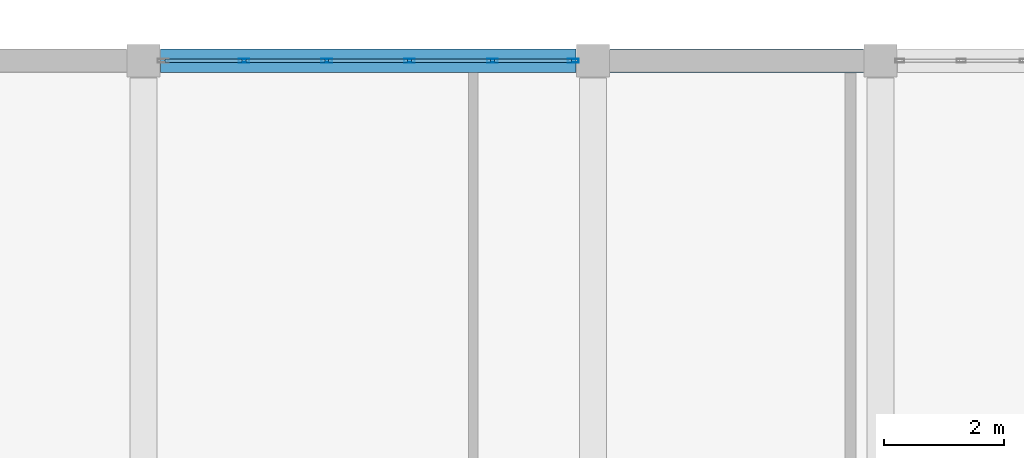
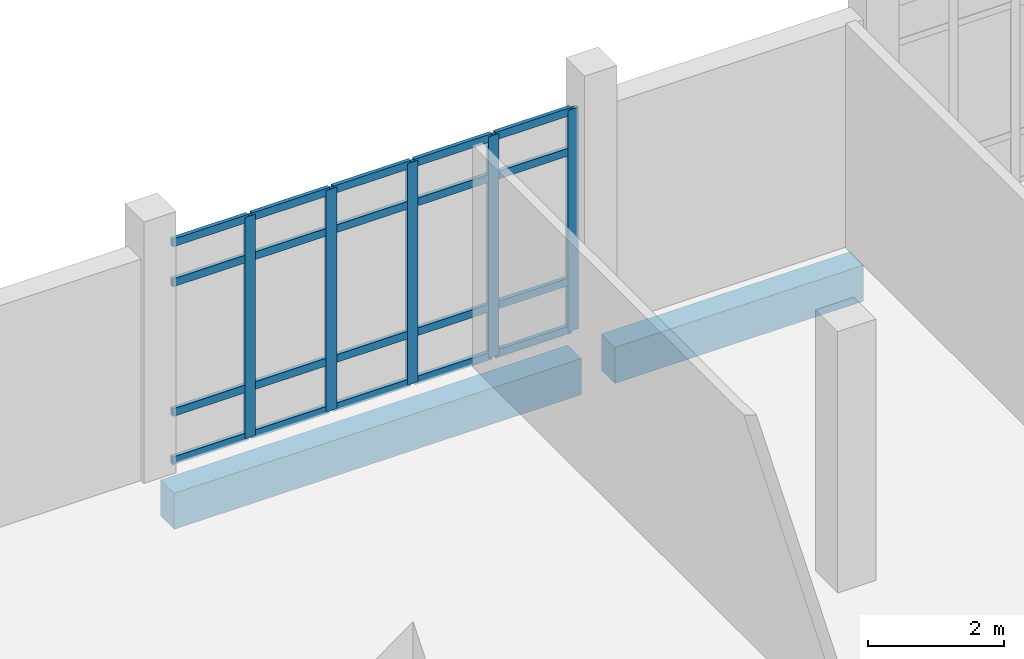
# One storey, part 73 of 173: 25 members, 2 beams, 1 element without a shape of its own.
"""IFC4 building model written with IfcOpenShell, lengths in metres."""

from ifc_helpers import new_model, si_unit, direction, frame, origin, origin_2d, place, context, subcontext, project, spatial, rectangle, hollow_rectangle, extrude, material, layer, layer_set, material_profile, profile_set, type_object, element, aggregate, save


model = new_model("IFC4")

# Units and contexts
model_context = context("Model", 3, precision=1e-05, world=origin(), true_north=direction((0.0, 1.0)))
body_context = subcontext(model_context, "Body", "Model", "MODEL_VIEW")
ifc_project = project(units=[si_unit("LENGTHUNIT", "METRE"), si_unit("AREAUNIT", "SQUARE_METRE"), si_unit("VOLUMEUNIT", "CUBIC_METRE"), si_unit("PLANEANGLEUNIT", "RADIAN"), si_unit("MASSUNIT", "GRAM", prefix="KILO")], contexts=[model_context])

# Site, building, storey
site_placement = place(None, origin())
site = spatial("IfcSite", under=ifc_project, at=site_placement, CompositionType="ELEMENT")
building_placement = place(site_placement, origin())
building = spatial("IfcBuilding", under=site, at=building_placement, Name="Mawjan Specialist Oncology Clinic", CompositionType="ELEMENT")
storey_placement = place(building_placement, origin())
storey = spatial("IfcBuildingStorey", under=building, at=storey_placement, Name="L00", CompositionType="ELEMENT", Elevation=0.0)

# Curtain wall, members
ifc_material_1 = material(Name="Unitised spectrally selective aluminium curtain wall", Category="aluminium")
ifc_layer = layer(ifc_material_1, 0.179931640625, Name="Unitised spectrally selective aluminium curtain wall", Category="aluminium")
ifc_layer_set = layer_set([ifc_layer], Name="Unitised spectrally selective aluminium curtain wall")
curtain_wall_type = type_object("IfcCurtainWallType", Name="CW-08", PredefinedType="NOTDEFINED", material=ifc_layer_set)
curtain_wall_placement = place(storey_placement, origin())
curtain_wall = element("IfcCurtainWall", 1, at=curtain_wall_placement, inside=storey, type_object=curtain_wall_type, Name="L00 Unitised Curtain Wall CW-L00-021", PredefinedType="NOTDEFINED")
ifc_material_2 = material(Name="Thermally broken aluminium 6063-T6", Category="aluminium")
ifc_material_profile_1 = material_profile(ifc_material_2, hollow_rectangle(XDim=0.06494140625, YDim=0.179931640625, WallThickness=0.00390625, at=origin_2d()), Name="ALU MULLION 180x65x4", Category="aluminium")
ifc_profile_set_1 = profile_set([ifc_material_profile_1], Name="Thermally broken aluminium 6063-T6")
member_type_1 = type_object("IfcMemberType", Name="CW-M180", PredefinedType="MULLION", material=ifc_profile_set_1)
member_1_placement = place(storey_placement, frame((54.177001953125, 113.300048828125, 0.0), z_axis=(0.0, 0.0, 1.0), x_axis=(0.0, 1.0, 0.0)))
member_1 = element("IfcMember", 2, at=member_1_placement, type_object=member_type_1, Name="CW-08 mullion 2", PredefinedType="MULLION", context=body_context, shape_type="SweptSolid", body=[
    extrude(hollow_rectangle(XDim=0.06494140625, YDim=0.179931640625, WallThickness=0.00390625, at=origin_2d()), origin(), (0.0, 0.0, 1.0), 3.985107421875),
])
member_2_placement = place(storey_placement, frame((55.55908203125, 113.300048828125, 0.0), z_axis=(0.0, 0.0, 1.0), x_axis=(0.0, 1.0, 0.0)))
member_2 = element("IfcMember", 3, at=member_2_placement, type_object=member_type_1, Name="CW-08 mullion 3", PredefinedType="MULLION", context=body_context, shape_type="SweptSolid", body=[
    extrude(hollow_rectangle(XDim=0.06494140625, YDim=0.179931640625, WallThickness=0.00390625, at=origin_2d()), origin(), (0.0, 0.0, 1.0), 3.985107421875),
])
member_3_placement = place(storey_placement, frame((56.94091796875, 113.300048828125, 0.0), z_axis=(0.0, 0.0, 1.0), x_axis=(0.0, 1.0, 0.0)))
member_3 = element("IfcMember", 4, at=member_3_placement, type_object=member_type_1, Name="CW-08 mullion 4", PredefinedType="MULLION", context=body_context, shape_type="SweptSolid", body=[
    extrude(hollow_rectangle(XDim=0.06494140625, YDim=0.179931640625, WallThickness=0.00390625, at=origin_2d()), origin(), (0.0, 0.0, 1.0), 3.985107421875),
])
member_4_placement = place(storey_placement, frame((58.322998046875, 113.300048828125, 0.0), z_axis=(0.0, 0.0, 1.0), x_axis=(0.0, 1.0, 0.0)))
member_4 = element("IfcMember", 5, at=member_4_placement, type_object=member_type_1, Name="CW-08 mullion 5", PredefinedType="MULLION", context=body_context, shape_type="SweptSolid", body=[
    extrude(hollow_rectangle(XDim=0.06494140625, YDim=0.179931640625, WallThickness=0.00390625, at=origin_2d()), origin(), (0.0, 0.0, 1.0), 3.985107421875),
])
member_5_placement = place(storey_placement, frame((59.672607421875, 113.300048828125, 0.0), z_axis=(0.0, 0.0, 1.0), x_axis=(0.0, 1.0, 0.0)))
member_5 = element("IfcMember", 6, at=member_5_placement, type_object=member_type_1, Name="CW-08 mullion 6", PredefinedType="MULLION", context=body_context, shape_type="SweptSolid", body=[
    extrude(hollow_rectangle(XDim=0.06494140625, YDim=0.179931640625, WallThickness=0.00390625, at=origin_2d()), origin(), (0.0, 0.0, 1.0), 3.985107421875),
])
ifc_material_3 = material(Name="Thermally broken aluminium 6063-T6", Category="aluminium")
ifc_material_profile_2 = material_profile(ifc_material_3, hollow_rectangle(XDim=0.06494140625, YDim=0.139892578125, WallThickness=0.00390625, at=origin_2d()), Name="ALU TRANSOM 140x65x4", Category="aluminium")
ifc_profile_set_2 = profile_set([ifc_material_profile_2], Name="Thermally broken aluminium 6063-T6")
member_type_2 = type_object("IfcMemberType", Name="CW-T140", PredefinedType="USERDEFINED", material=ifc_profile_set_2)
member_6_placement = place(storey_placement, frame((52.860107421875, 113.300048828125, 0.032470703125), z_axis=(1.0, 0.0, 0.0), x_axis=(0.0, 1.0, 0.0)))
member_6 = element("IfcMember", 7, at=member_6_placement, type_object=member_type_2, Name="CW-08 transom 1.1", ObjectType="TRANSOM", PredefinedType="USERDEFINED", context=body_context, shape_type="SweptSolid", body=[
    extrude(hollow_rectangle(XDim=0.06494140625, YDim=0.139892578125, WallThickness=0.00390625, at=origin_2d()), origin(), (0.0, 0.0, 1.0), 1.284423828125),
])
member_7_placement = place(storey_placement, frame((52.860107421875, 113.300048828125, 0.89990234375), z_axis=(1.0, 0.0, 0.0), x_axis=(0.0, 1.0, 0.0)))
member_7 = element("IfcMember", 8, at=member_7_placement, type_object=member_type_2, Name="CW-08 transom 1.2", ObjectType="TRANSOM", PredefinedType="USERDEFINED", context=body_context, shape_type="SweptSolid", body=[
    extrude(hollow_rectangle(XDim=0.06494140625, YDim=0.139892578125, WallThickness=0.00390625, at=origin_2d()), origin(), (0.0, 0.0, 1.0), 1.284423828125),
])
member_8_placement = place(storey_placement, frame((52.860107421875, 113.300048828125, 3.235107421875), z_axis=(1.0, 0.0, 0.0), x_axis=(0.0, 1.0, 0.0)))
member_8 = element("IfcMember", 9, at=member_8_placement, type_object=member_type_2, Name="CW-08 transom 1.3", ObjectType="TRANSOM", PredefinedType="USERDEFINED", context=body_context, shape_type="SweptSolid", body=[
    extrude(hollow_rectangle(XDim=0.06494140625, YDim=0.139892578125, WallThickness=0.00390625, at=origin_2d()), origin(), (0.0, 0.0, 1.0), 1.284423828125),
])
member_9_placement = place(storey_placement, frame((52.860107421875, 113.300048828125, 3.952392578125), z_axis=(1.0, 0.0, 0.0), x_axis=(0.0, 1.0, 0.0)))
member_9 = element("IfcMember", 10, at=member_9_placement, type_object=member_type_2, Name="CW-08 transom 1.4", ObjectType="TRANSOM", PredefinedType="USERDEFINED", context=body_context, shape_type="SweptSolid", body=[
    extrude(hollow_rectangle(XDim=0.06494140625, YDim=0.139892578125, WallThickness=0.00390625, at=origin_2d()), origin(), (0.0, 0.0, 1.0), 1.284423828125),
])
member_10_placement = place(storey_placement, frame((54.20947265625, 113.300048828125, 0.032470703125), z_axis=(1.0, 0.0, 0.0), x_axis=(0.0, 1.0, 0.0)))
member_10 = element("IfcMember", 11, at=member_10_placement, type_object=member_type_2, Name="CW-08 transom 2.1", ObjectType="TRANSOM", PredefinedType="USERDEFINED", context=body_context, shape_type="SweptSolid", body=[
    extrude(hollow_rectangle(XDim=0.06494140625, YDim=0.139892578125, WallThickness=0.00390625, at=origin_2d()), origin(), (0.0, 0.0, 1.0), 1.317138671875),
])
member_11_placement = place(storey_placement, frame((54.20947265625, 113.300048828125, 0.89990234375), z_axis=(1.0, 0.0, 0.0), x_axis=(0.0, 1.0, 0.0)))
member_11 = element("IfcMember", 12, at=member_11_placement, type_object=member_type_2, Name="CW-08 transom 2.2", ObjectType="TRANSOM", PredefinedType="USERDEFINED", context=body_context, shape_type="SweptSolid", body=[
    extrude(hollow_rectangle(XDim=0.06494140625, YDim=0.139892578125, WallThickness=0.00390625, at=origin_2d()), origin(), (0.0, 0.0, 1.0), 1.317138671875),
])
member_12_placement = place(storey_placement, frame((54.20947265625, 113.300048828125, 3.235107421875), z_axis=(1.0, 0.0, 0.0), x_axis=(0.0, 1.0, 0.0)))
member_12 = element("IfcMember", 13, at=member_12_placement, type_object=member_type_2, Name="CW-08 transom 2.3", ObjectType="TRANSOM", PredefinedType="USERDEFINED", context=body_context, shape_type="SweptSolid", body=[
    extrude(hollow_rectangle(XDim=0.06494140625, YDim=0.139892578125, WallThickness=0.00390625, at=origin_2d()), origin(), (0.0, 0.0, 1.0), 1.317138671875),
])
member_13_placement = place(storey_placement, frame((54.20947265625, 113.300048828125, 3.952392578125), z_axis=(1.0, 0.0, 0.0), x_axis=(0.0, 1.0, 0.0)))
member_13 = element("IfcMember", 14, at=member_13_placement, type_object=member_type_2, Name="CW-08 transom 2.4", ObjectType="TRANSOM", PredefinedType="USERDEFINED", context=body_context, shape_type="SweptSolid", body=[
    extrude(hollow_rectangle(XDim=0.06494140625, YDim=0.139892578125, WallThickness=0.00390625, at=origin_2d()), origin(), (0.0, 0.0, 1.0), 1.317138671875),
])
member_14_placement = place(storey_placement, frame((55.591552734375, 113.300048828125, 0.032470703125), z_axis=(1.0, 0.0, 0.0), x_axis=(0.0, 1.0, 0.0)))
member_14 = element("IfcMember", 15, at=member_14_placement, type_object=member_type_2, Name="CW-08 transom 3.1", ObjectType="TRANSOM", PredefinedType="USERDEFINED", context=body_context, shape_type="SweptSolid", body=[
    extrude(hollow_rectangle(XDim=0.06494140625, YDim=0.139892578125, WallThickness=0.00390625, at=origin_2d()), origin(), (0.0, 0.0, 1.0), 1.31689453125),
])
member_15_placement = place(storey_placement, frame((55.591552734375, 113.300048828125, 0.89990234375), z_axis=(1.0, 0.0, 0.0), x_axis=(0.0, 1.0, 0.0)))
member_15 = element("IfcMember", 16, at=member_15_placement, type_object=member_type_2, Name="CW-08 transom 3.2", ObjectType="TRANSOM", PredefinedType="USERDEFINED", context=body_context, shape_type="SweptSolid", body=[
    extrude(hollow_rectangle(XDim=0.06494140625, YDim=0.139892578125, WallThickness=0.00390625, at=origin_2d()), origin(), (0.0, 0.0, 1.0), 1.31689453125),
])
member_16_placement = place(storey_placement, frame((55.591552734375, 113.300048828125, 3.235107421875), z_axis=(1.0, 0.0, 0.0), x_axis=(0.0, 1.0, 0.0)))
member_16 = element("IfcMember", 17, at=member_16_placement, type_object=member_type_2, Name="CW-08 transom 3.3", ObjectType="TRANSOM", PredefinedType="USERDEFINED", context=body_context, shape_type="SweptSolid", body=[
    extrude(hollow_rectangle(XDim=0.06494140625, YDim=0.139892578125, WallThickness=0.00390625, at=origin_2d()), origin(), (0.0, 0.0, 1.0), 1.31689453125),
])
member_17_placement = place(storey_placement, frame((55.591552734375, 113.300048828125, 3.952392578125), z_axis=(1.0, 0.0, 0.0), x_axis=(0.0, 1.0, 0.0)))
member_17 = element("IfcMember", 18, at=member_17_placement, type_object=member_type_2, Name="CW-08 transom 3.4", ObjectType="TRANSOM", PredefinedType="USERDEFINED", context=body_context, shape_type="SweptSolid", body=[
    extrude(hollow_rectangle(XDim=0.06494140625, YDim=0.139892578125, WallThickness=0.00390625, at=origin_2d()), origin(), (0.0, 0.0, 1.0), 1.31689453125),
])
member_18_placement = place(storey_placement, frame((56.973388671875, 113.300048828125, 0.032470703125), z_axis=(1.0, 0.0, 0.0), x_axis=(0.0, 1.0, 0.0)))
member_18 = element("IfcMember", 19, at=member_18_placement, type_object=member_type_2, Name="CW-08 transom 4.1", ObjectType="TRANSOM", PredefinedType="USERDEFINED", context=body_context, shape_type="SweptSolid", body=[
    extrude(hollow_rectangle(XDim=0.06494140625, YDim=0.139892578125, WallThickness=0.00390625, at=origin_2d()), origin(), (0.0, 0.0, 1.0), 1.317138671875),
])
member_19_placement = place(storey_placement, frame((56.973388671875, 113.300048828125, 0.89990234375), z_axis=(1.0, 0.0, 0.0), x_axis=(0.0, 1.0, 0.0)))
member_19 = element("IfcMember", 20, at=member_19_placement, type_object=member_type_2, Name="CW-08 transom 4.2", ObjectType="TRANSOM", PredefinedType="USERDEFINED", context=body_context, shape_type="SweptSolid", body=[
    extrude(hollow_rectangle(XDim=0.06494140625, YDim=0.139892578125, WallThickness=0.00390625, at=origin_2d()), origin(), (0.0, 0.0, 1.0), 1.317138671875),
])
member_20_placement = place(storey_placement, frame((56.973388671875, 113.300048828125, 3.235107421875), z_axis=(1.0, 0.0, 0.0), x_axis=(0.0, 1.0, 0.0)))
member_20 = element("IfcMember", 21, at=member_20_placement, type_object=member_type_2, Name="CW-08 transom 4.3", ObjectType="TRANSOM", PredefinedType="USERDEFINED", context=body_context, shape_type="SweptSolid", body=[
    extrude(hollow_rectangle(XDim=0.06494140625, YDim=0.139892578125, WallThickness=0.00390625, at=origin_2d()), origin(), (0.0, 0.0, 1.0), 1.317138671875),
])
member_21_placement = place(storey_placement, frame((56.973388671875, 113.300048828125, 3.952392578125), z_axis=(1.0, 0.0, 0.0), x_axis=(0.0, 1.0, 0.0)))
member_21 = element("IfcMember", 22, at=member_21_placement, type_object=member_type_2, Name="CW-08 transom 4.4", ObjectType="TRANSOM", PredefinedType="USERDEFINED", context=body_context, shape_type="SweptSolid", body=[
    extrude(hollow_rectangle(XDim=0.06494140625, YDim=0.139892578125, WallThickness=0.00390625, at=origin_2d()), origin(), (0.0, 0.0, 1.0), 1.317138671875),
])
member_22_placement = place(storey_placement, frame((58.35546875, 113.300048828125, 0.032470703125), z_axis=(1.0, 0.0, 0.0), x_axis=(0.0, 1.0, 0.0)))
member_22 = element("IfcMember", 23, at=member_22_placement, type_object=member_type_2, Name="CW-08 transom 5.1", ObjectType="TRANSOM", PredefinedType="USERDEFINED", context=body_context, shape_type="SweptSolid", body=[
    extrude(hollow_rectangle(XDim=0.06494140625, YDim=0.139892578125, WallThickness=0.00390625, at=origin_2d()), origin(), (0.0, 0.0, 1.0), 1.284423828125),
])
member_23_placement = place(storey_placement, frame((58.35546875, 113.300048828125, 0.89990234375), z_axis=(1.0, 0.0, 0.0), x_axis=(0.0, 1.0, 0.0)))
member_23 = element("IfcMember", 24, at=member_23_placement, type_object=member_type_2, Name="CW-08 transom 5.2", ObjectType="TRANSOM", PredefinedType="USERDEFINED", context=body_context, shape_type="SweptSolid", body=[
    extrude(hollow_rectangle(XDim=0.06494140625, YDim=0.139892578125, WallThickness=0.00390625, at=origin_2d()), origin(), (0.0, 0.0, 1.0), 1.284423828125),
])
member_24_placement = place(storey_placement, frame((58.35546875, 113.300048828125, 3.235107421875), z_axis=(1.0, 0.0, 0.0), x_axis=(0.0, 1.0, 0.0)))
member_24 = element("IfcMember", 25, at=member_24_placement, type_object=member_type_2, Name="CW-08 transom 5.3", ObjectType="TRANSOM", PredefinedType="USERDEFINED", context=body_context, shape_type="SweptSolid", body=[
    extrude(hollow_rectangle(XDim=0.06494140625, YDim=0.139892578125, WallThickness=0.00390625, at=origin_2d()), origin(), (0.0, 0.0, 1.0), 1.284423828125),
])
member_25_placement = place(storey_placement, frame((58.35546875, 113.300048828125, 3.952392578125), z_axis=(1.0, 0.0, 0.0), x_axis=(0.0, 1.0, 0.0)))
member_25 = element("IfcMember", 26, at=member_25_placement, type_object=member_type_2, Name="CW-08 transom 5.4", ObjectType="TRANSOM", PredefinedType="USERDEFINED", context=body_context, shape_type="SweptSolid", body=[
    extrude(hollow_rectangle(XDim=0.06494140625, YDim=0.139892578125, WallThickness=0.00390625, at=origin_2d()), origin(), (0.0, 0.0, 1.0), 1.284423828125),
])
aggregate(curtain_wall, [member_1, member_2, member_3, member_4, member_5, member_6, member_7, member_8, member_9, member_10, member_11, member_12, member_13, member_14, member_15, member_16, member_17, member_18, member_19, member_20, member_21, member_22, member_23, member_24, member_25])

# Beams
ifc_material_4 = material(Name="Concrete C45/55", Category="concrete")
ifc_material_profile_3 = material_profile(ifc_material_4, rectangle(XDim=0.39990234375, YDim=0.64990234375, at=origin_2d()), Name="RC BM 400x650", Category="concrete")
ifc_profile_set_3 = profile_set([ifc_material_profile_3], Name="Concrete C45/55")
beam_type = type_object("IfcBeamType", Name="SP-400x650", PredefinedType="SPANDREL", material=ifc_profile_set_3)
beam_1_placement = place(storey_placement, frame((52.784912109375, 113.300048828125, -0.7451171875), z_axis=(1.0, 0.0, 0.0), x_axis=(0.0, 1.0, 0.0)))
element("IfcBeam", 27, at=beam_1_placement, inside=storey, type_object=beam_type, Name="L00 Spandrel Beam BM-L00-0103", PredefinedType="SPANDREL", context=body_context, shape_type="SweptSolid", body=[
    extrude(rectangle(XDim=0.39990234375, YDim=0.64990234375, at=origin_2d()), origin(), (0.0, 0.0, 1.0), 6.93017578125),
])
beam_2_placement = place(storey_placement, frame((60.284912109375, 113.300048828125, -0.7451171875), z_axis=(1.0, 0.0, 0.0), x_axis=(0.0, 1.0, 0.0)))
element("IfcBeam", 28, at=beam_2_placement, inside=storey, type_object=beam_type, Name="L00 Spandrel Beam BM-L00-0104", PredefinedType="SPANDREL", context=body_context, shape_type="SweptSolid", body=[
    extrude(rectangle(XDim=0.39990234375, YDim=0.64990234375, at=origin_2d()), origin(), (0.0, 0.0, 1.0), 4.22998046875),
])

save(model, "model.ifc")
